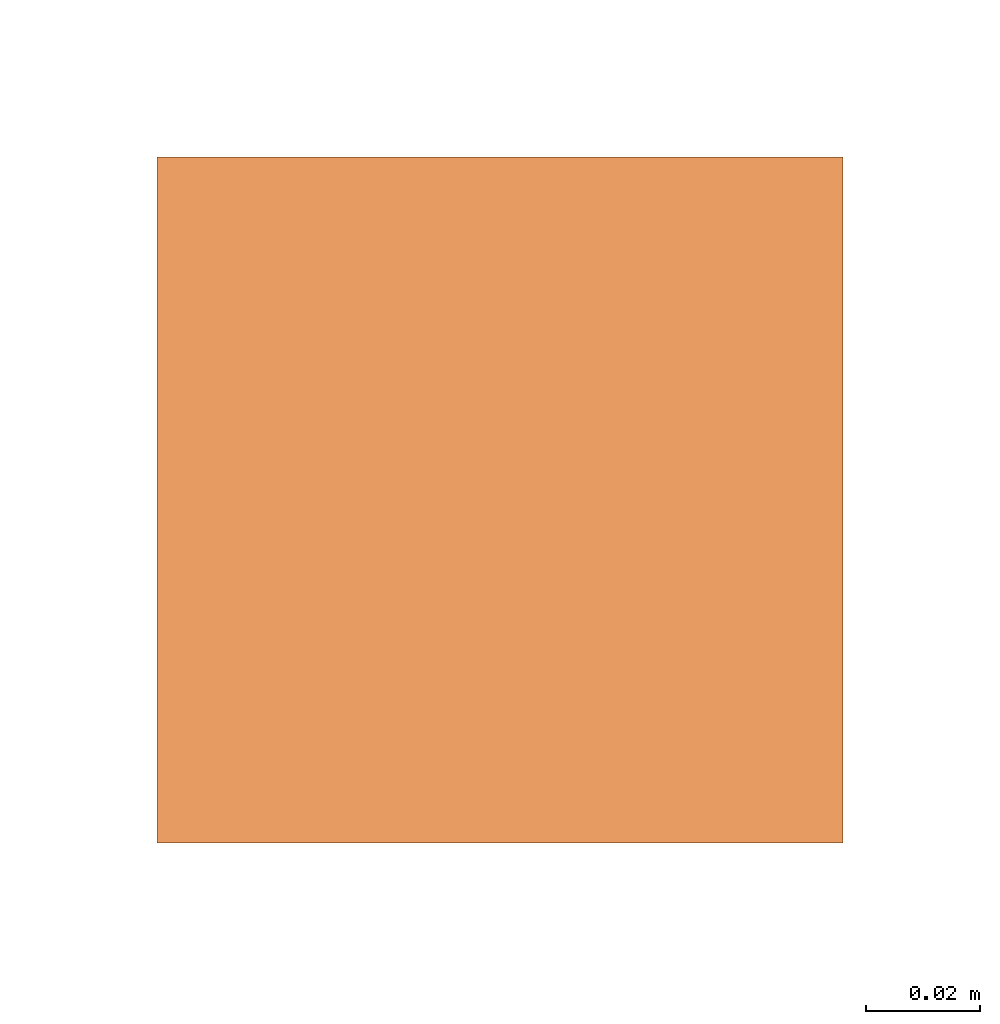
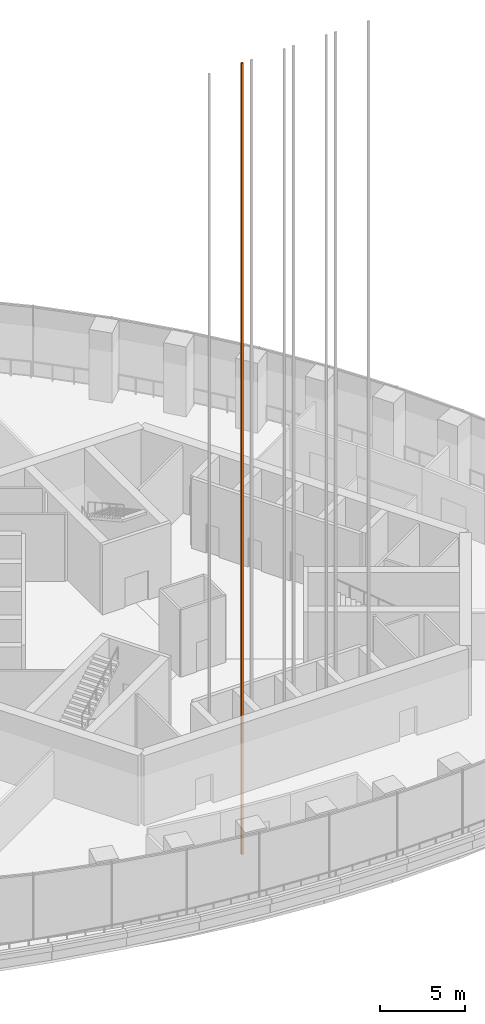
# One storey, part 20 of 26: 1 proxy.
"""IFC4 building model written with IfcOpenShell, lengths in metres."""

from ifc_helpers import new_model, si_unit, direction, frame, origin, origin_2d, place, context, subcontext, project, spatial, rectangle, extrude, element, save


model = new_model("IFC4")

# Units and contexts
model_context = context("Model", 3, precision=1e-05, world=origin(), true_north=direction((0.0, 1.0)))
body_context = subcontext(model_context, "Body", "Model", "MODEL_VIEW")
ifc_project = project(units=[si_unit("LENGTHUNIT", "METRE"), si_unit("AREAUNIT", "SQUARE_METRE"), si_unit("VOLUMEUNIT", "CUBIC_METRE"), si_unit("PLANEANGLEUNIT", "RADIAN"), si_unit("MASSUNIT", "GRAM", prefix="KILO")], contexts=[model_context])

# Site, building, storey
site_placement = place(None, origin())
site = spatial("IfcSite", under=ifc_project, at=site_placement, CompositionType="ELEMENT")
building_placement = place(site_placement, origin())
building = spatial("IfcBuilding", under=site, at=building_placement, Name="Trefoil Bronze Tower", CompositionType="ELEMENT")
storey_placement = place(building_placement, frame((0.0, 0.0, 271.300048828125)))
storey = spatial("IfcBuildingStorey", under=building, at=storey_placement, Name="L62", CompositionType="ELEMENT", Elevation=271.300048828125)

# Proxy
proxy_placement = place(storey_placement, frame((-3.1650390625, -11.3125, -6.0), z_axis=(0.0, 0.0, 1.0), x_axis=(1.0, 0.0, 0.0)))
element("IfcBuildingElementProxy", 1, at=proxy_placement, inside=storey, Name="Lift P41 guide rail 2", ObjectType="LIFT GUIDE RAIL", PredefinedType="USERDEFINED", context=body_context, shape_type="SweptSolid", body=[
    extrude(rectangle(XDim=0.1201171875, YDim=0.1201171875, at=origin_2d()), origin(), (0.0, 0.0, 1.0), 56.64990234375),
])

save(model, "model.ifc")
